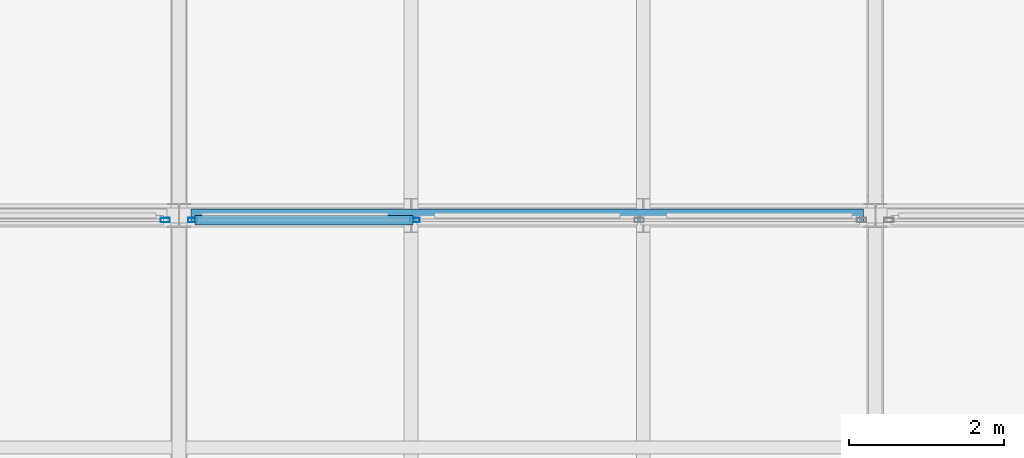
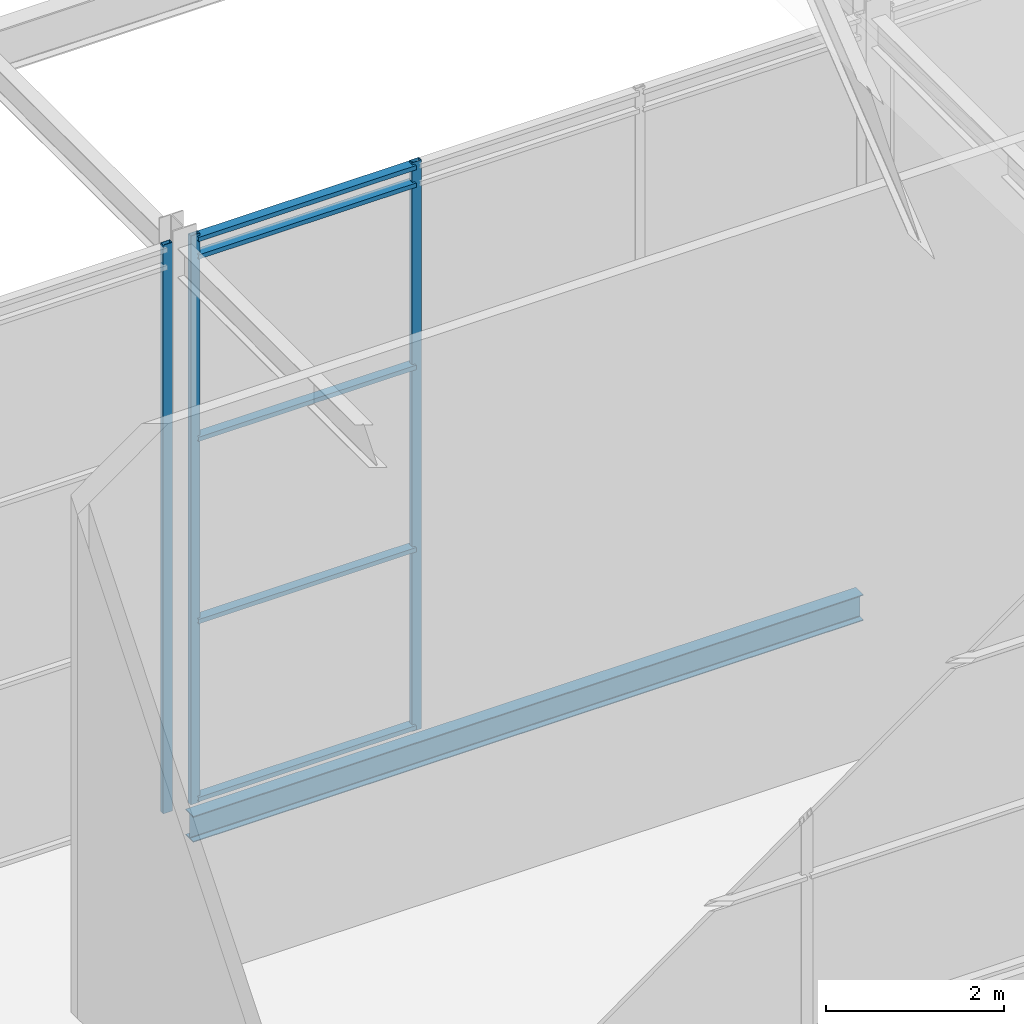
# One storey, part 29 of 144: 8 members, 1 beam, 2 elements without a shape of their own.
"""IFC4 building model written with IfcOpenShell, lengths in metres."""

from ifc_helpers import new_model, si_unit, direction, frame, origin, origin_2d, place, context, subcontext, project, spatial, hollow_rectangle, i_section, extrude, material, layer, layer_set, material_profile, profile_set, type_object, element, aggregate, save


model = new_model("IFC4")

# Units and contexts
model_context = context("Model", 3, precision=1e-05, world=origin(), true_north=direction((0.0, 1.0)))
body_context = subcontext(model_context, "Body", "Model", "MODEL_VIEW")
ifc_project = project(units=[si_unit("LENGTHUNIT", "METRE"), si_unit("AREAUNIT", "SQUARE_METRE"), si_unit("VOLUMEUNIT", "CUBIC_METRE"), si_unit("PLANEANGLEUNIT", "RADIAN"), si_unit("MASSUNIT", "GRAM", prefix="KILO")], contexts=[model_context])

# Site, building, storey
site_placement = place(None, origin())
site = spatial("IfcSite", under=ifc_project, at=site_placement, CompositionType="ELEMENT")
building_placement = place(site_placement, origin())
building = spatial("IfcBuilding", under=site, at=building_placement, Name="Shorebreak Coast Museum", CompositionType="ELEMENT")
storey_placement = place(building_placement, frame((0.0, 0.0, 36.0)))
storey = spatial("IfcBuildingStorey", under=building, at=storey_placement, Name="L06", CompositionType="ELEMENT", Elevation=36.0)

# Beam
ifc_material_1 = material(Name="Steel Grade 300", Category="steel")
ifc_material_profile_1 = material_profile(ifc_material_1, i_section(OverallWidth=0.1708984375, OverallDepth=0.355712890625, WebThickness=0.00732421875, FlangeThickness=0.011474609375, FilletRadius=0.011474609375, at=origin_2d()), Name="360UB50.7")
ifc_profile_set_1 = profile_set([ifc_material_profile_1], Name="Steel Grade 300")
beam_type = type_object("IfcBeamType", Name="Floor girder east-west 360UB50.7", PredefinedType="BEAM", material=ifc_profile_set_1)
beam_placement = place(storey_placement, frame((72.153564453125, 63.0, -0.352783203125), z_axis=(1.0, 0.0, 0.0), x_axis=(0.0, 1.0, 0.0)))
element("IfcBeam", 1, at=beam_placement, inside=storey, type_object=beam_type, Name="Floor girder east-west L06 9H", PredefinedType="BEAM", context=body_context, shape_type="SweptSolid", body=[
    extrude(i_section(OverallWidth=0.1708984375, OverallDepth=0.355712890625, WebThickness=0.00732421875, FlangeThickness=0.011474609375, FilletRadius=0.011474609375, at=origin_2d()), origin(), (0.0, 0.0, 1.0), 8.69287109375),
])

# Curtain wall, member
ifc_material_2 = material(Name="Aluminium", Category="aluminium")
ifc_layer = layer(ifc_material_2, 0.1201171875)
ifc_layer_set = layer_set([ifc_layer], Name="Aluminium")
curtain_wall_type = type_object("IfcCurtainWallType", Name="Atrium fire screen", PredefinedType="NOTDEFINED", material=ifc_layer_set)
curtain_wall_1_placement = place(storey_placement, origin())
curtain_wall_1 = element("IfcCurtainWall", 2, at=curtain_wall_1_placement, inside=storey, type_object=curtain_wall_type, Name="Atrium screen L06 S 79", PredefinedType="NOTDEFINED")
ifc_material_3 = material(Name="Aluminium", Category="aluminium")
ifc_material_profile_2 = material_profile(ifc_material_3, hollow_rectangle(XDim=0.06005859375, YDim=0.1201171875, WallThickness=0.00341796875, at=origin_2d()), Name="AL 120x60 RHS")
ifc_profile_set_2 = profile_set([ifc_material_profile_2], Name="Aluminium")
member_type_1 = type_object("IfcMemberType", Name="Screen mullion 50 x 120", PredefinedType="MULLION", material=ifc_profile_set_2)
member_1_placement = place(storey_placement, frame((71.821533203125, 62.93994140625, 0.0), z_axis=(0.0, 0.0, 1.0), x_axis=(0.0, 1.0, 0.0)))
member_1 = element("IfcMember", 3, at=member_1_placement, type_object=member_type_1, Name="CW5 mullion 4", PredefinedType="MULLION", context=body_context, shape_type="SweptSolid", body=[
    extrude(hollow_rectangle(XDim=0.06005859375, YDim=0.1201171875, WallThickness=0.00341796875, at=origin_2d()), origin(), (0.0, 0.0, 1.0), 7.800048828125),
])
aggregate(curtain_wall_1, [member_1])

# Curtain wall, members
curtain_wall_2_placement = place(storey_placement, origin())
curtain_wall_2 = element("IfcCurtainWall", 4, at=curtain_wall_2_placement, inside=storey, type_object=curtain_wall_type, Name="Atrium screen L06 S 80", PredefinedType="NOTDEFINED")
member_2_placement = place(storey_placement, frame((72.178466796875, 62.93994140625, 0.0), z_axis=(0.0, 0.0, 1.0), x_axis=(0.0, 1.0, 0.0)))
member_2 = element("IfcMember", 5, at=member_2_placement, type_object=member_type_1, Name="CW6 mullion 1", PredefinedType="MULLION", context=body_context, shape_type="SweptSolid", body=[
    extrude(hollow_rectangle(XDim=0.06005859375, YDim=0.1201171875, WallThickness=0.00341796875, at=origin_2d()), origin(), (0.0, 0.0, 1.0), 7.800048828125),
])
member_3_placement = place(storey_placement, frame((75.05126953125, 62.93994140625, 0.0), z_axis=(0.0, 0.0, 1.0), x_axis=(0.0, 1.0, 0.0)))
member_3 = element("IfcMember", 6, at=member_3_placement, type_object=member_type_1, Name="CW6 mullion 2", PredefinedType="MULLION", context=body_context, shape_type="SweptSolid", body=[
    extrude(hollow_rectangle(XDim=0.06005859375, YDim=0.1201171875, WallThickness=0.00341796875, at=origin_2d()), origin(), (0.0, 0.0, 1.0), 7.800048828125),
])
ifc_material_4 = material(Name="Aluminium", Category="aluminium")
ifc_material_profile_3 = material_profile(ifc_material_4, hollow_rectangle(XDim=0.1201171875, YDim=0.06005859375, WallThickness=0.00341796875, at=origin_2d()), Name="AL 60x120 RHS")
ifc_profile_set_3 = profile_set([ifc_material_profile_3], Name="Aluminium")
member_type_2 = type_object("IfcMemberType", Name="Screen transom 120 x 50", PredefinedType="USERDEFINED", material=ifc_profile_set_3)
member_4_placement = place(storey_placement, frame((72.20361328125, 62.93994140625, 0.06005859375), z_axis=(1.0, 0.0, 0.0), x_axis=(0.0, 1.0, 0.0)))
member_4 = element("IfcMember", 7, at=member_4_placement, type_object=member_type_2, Name="CW6 transom 1.1", ObjectType="TRANSOM", PredefinedType="USERDEFINED", context=body_context, shape_type="SweptSolid", body=[
    extrude(hollow_rectangle(XDim=0.1201171875, YDim=0.06005859375, WallThickness=0.00341796875, at=origin_2d()), origin(), (0.0, 0.0, 1.0), 2.822509765625),
])
member_5_placement = place(storey_placement, frame((72.20361328125, 62.93994140625, 2.5), z_axis=(1.0, 0.0, 0.0), x_axis=(0.0, 1.0, 0.0)))
member_5 = element("IfcMember", 8, at=member_5_placement, type_object=member_type_2, Name="CW6 transom 1.2", ObjectType="TRANSOM", PredefinedType="USERDEFINED", context=body_context, shape_type="SweptSolid", body=[
    extrude(hollow_rectangle(XDim=0.1201171875, YDim=0.06005859375, WallThickness=0.00341796875, at=origin_2d()), origin(), (0.0, 0.0, 1.0), 2.822509765625),
])
member_6_placement = place(storey_placement, frame((72.20361328125, 62.93994140625, 5.0), z_axis=(1.0, 0.0, 0.0), x_axis=(0.0, 1.0, 0.0)))
member_6 = element("IfcMember", 9, at=member_6_placement, type_object=member_type_2, Name="CW6 transom 1.3", ObjectType="TRANSOM", PredefinedType="USERDEFINED", context=body_context, shape_type="SweptSolid", body=[
    extrude(hollow_rectangle(XDim=0.1201171875, YDim=0.06005859375, WallThickness=0.00341796875, at=origin_2d()), origin(), (0.0, 0.0, 1.0), 2.822509765625),
])
member_7_placement = place(storey_placement, frame((72.20361328125, 62.93994140625, 7.5), z_axis=(1.0, 0.0, 0.0), x_axis=(0.0, 1.0, 0.0)))
member_7 = element("IfcMember", 10, at=member_7_placement, type_object=member_type_2, Name="CW6 transom 1.4", ObjectType="TRANSOM", PredefinedType="USERDEFINED", context=body_context, shape_type="SweptSolid", body=[
    extrude(hollow_rectangle(XDim=0.1201171875, YDim=0.06005859375, WallThickness=0.00341796875, at=origin_2d()), origin(), (0.0, 0.0, 1.0), 2.822509765625),
])
member_8_placement = place(storey_placement, frame((72.20361328125, 62.93994140625, 7.739990234375), z_axis=(1.0, 0.0, 0.0), x_axis=(0.0, 1.0, 0.0)))
member_8 = element("IfcMember", 11, at=member_8_placement, type_object=member_type_2, Name="CW6 transom 1.5", ObjectType="TRANSOM", PredefinedType="USERDEFINED", context=body_context, shape_type="SweptSolid", body=[
    extrude(hollow_rectangle(XDim=0.1201171875, YDim=0.06005859375, WallThickness=0.00341796875, at=origin_2d()), origin(), (0.0, 0.0, 1.0), 2.822509765625),
])
aggregate(curtain_wall_2, [member_2, member_3, member_4, member_5, member_6, member_7, member_8])

save(model, "model.ifc")
